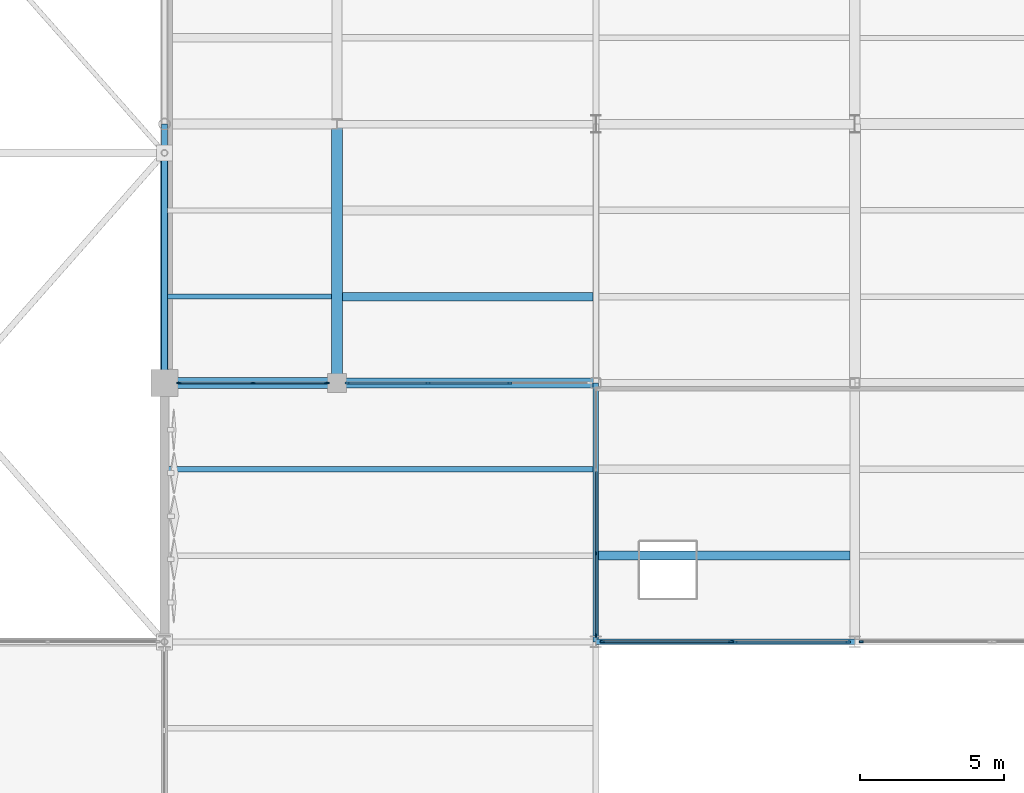
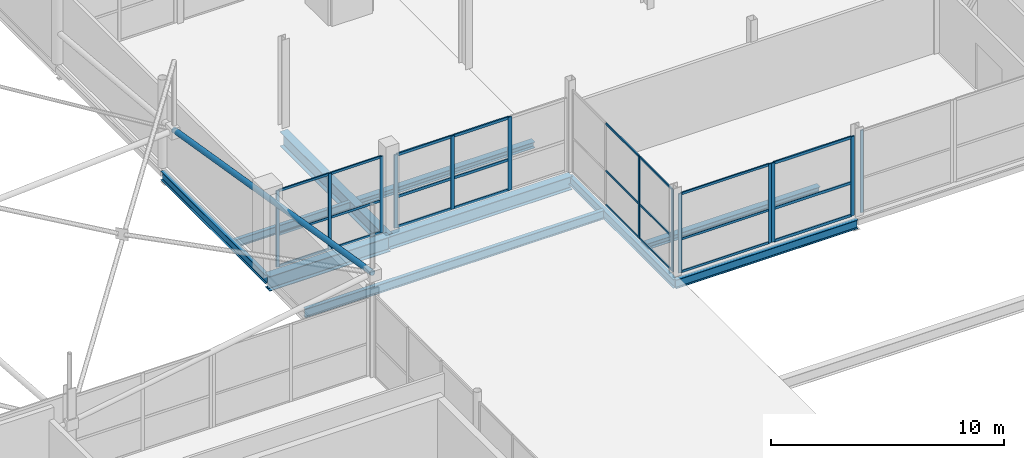
# One storey, part 124 of 224: 38 members, 10 beams, 6 elements without a shape of their own.
"""IFC4 building model written with IfcOpenShell, lengths in metres."""

from ifc_helpers import new_model, si_unit, direction, frame, origin, origin_2d, place, context, subcontext, project, spatial, rectangle, hollow_circle, i_section, extrude, material, layer, layer_set, material_profile, profile_set, type_object, element, aggregate, save


model = new_model("IFC4")

# Units and contexts
model_context = context("Model", 3, precision=1e-05, world=origin(), true_north=direction((0.0, 1.0)))
body_context = subcontext(model_context, "Body", "Model", "MODEL_VIEW")
ifc_project = project(units=[si_unit("LENGTHUNIT", "METRE"), si_unit("AREAUNIT", "SQUARE_METRE"), si_unit("VOLUMEUNIT", "CUBIC_METRE"), si_unit("PLANEANGLEUNIT", "RADIAN"), si_unit("MASSUNIT", "GRAM", prefix="KILO")], contexts=[model_context])

# Site, building, storey
site_placement = place(None, origin())
site = spatial("IfcSite", under=ifc_project, at=site_placement, CompositionType="ELEMENT")
building_placement = place(site_placement, origin())
building = spatial("IfcBuilding", under=site, at=building_placement, Name="Qamarlyn Nura Convention Centre", CompositionType="ELEMENT")
storey_placement = place(building_placement, frame((0.0, 0.0, 10.800048828125)))
storey = spatial("IfcBuildingStorey", under=building, at=storey_placement, Name="L02", CompositionType="ELEMENT", Elevation=10.800048828125)

# Beams
ifc_material_1 = material(Name="Steel ASTM A992", Category="steel")
ifc_material_profile_1 = material_profile(ifc_material_1, i_section(OverallWidth=0.35498046875, OverallDepth=0.695068359375, WebThickness=0.015380859375, FlangeThickness=0.02490234375, FilletRadius=0.01806640625, at=origin_2d()), Name="W690X217")
ifc_profile_set_1 = profile_set([ifc_material_profile_1], Name="Steel ASTM A992")
beam_type_1 = type_object("IfcBeamType", Name="BM-GIRD-690A", PredefinedType="BEAM", material=ifc_profile_set_1)
beam_1_placement = place(storey_placement, frame((126.0, 27.0, -0.587646484375), z_axis=(1.0, 0.0, 0.0), x_axis=(0.0, 1.0, 0.0)))
element("IfcBeam", 1, at=beam_1_placement, inside=storey, type_object=beam_type_1, Name="L02 girder D 10-11", PredefinedType="BEAM", context=body_context, shape_type="SweptSolid", body=[
    extrude(i_section(OverallWidth=0.35498046875, OverallDepth=0.695068359375, WebThickness=0.015380859375, FlangeThickness=0.02490234375, FilletRadius=0.01806640625, at=origin_2d()), origin(), (0.0, 0.0, 1.0), 9.0),
])
ifc_material_profile_2 = material_profile(ifc_material_1, i_section(OverallWidth=0.381103515625, OverallDepth=0.77294921875, WebThickness=0.0166015625, FlangeThickness=0.027587890625, FilletRadius=0.02001953125, at=origin_2d()), Name="W760X257")
ifc_profile_set_2 = profile_set([ifc_material_profile_2], Name="Steel ASTM A992")
beam_type_2 = type_object("IfcBeamType", Name="BM-GIRD-760", PredefinedType="BEAM", material=ifc_profile_set_2)
beam_2_placement = place(storey_placement, frame((120.0, 27.0, -0.62646484375), z_axis=(1.0, 0.0, 0.0), x_axis=(0.0, 1.0, 0.0)))
element("IfcBeam", 2, at=beam_2_placement, inside=storey, type_object=beam_type_2, Name="L02 girder D 9-10", PredefinedType="BEAM", context=body_context, shape_type="SweptSolid", body=[
    extrude(i_section(OverallWidth=0.381103515625, OverallDepth=0.77294921875, WebThickness=0.0166015625, FlangeThickness=0.027587890625, FilletRadius=0.02001953125, at=origin_2d()), origin(), (0.0, 0.0, 1.0), 6.0),
])
beam_3_placement = place(storey_placement, frame((126.0, 27.0, -0.62646484375), z_axis=(0.0, 1.0, 0.0), x_axis=(-1.0, 0.0, 0.0)))
element("IfcBeam", 3, at=beam_3_placement, inside=storey, type_object=beam_type_2, Name="L02 girder 10 D-E", PredefinedType="BEAM", context=body_context, shape_type="SweptSolid", body=[
    extrude(i_section(OverallWidth=0.381103515625, OverallDepth=0.77294921875, WebThickness=0.0166015625, FlangeThickness=0.027587890625, FilletRadius=0.02001953125, at=origin_2d()), origin(), (0.0, 0.0, 1.0), 9.0),
])
ifc_material_profile_3 = material_profile(ifc_material_1, i_section(OverallWidth=0.304931640625, OverallDepth=0.30810546875, WebThickness=0.010009765625, FlangeThickness=0.015380859375, FilletRadius=0.014892578125, at=origin_2d()), Name="W310X97")
ifc_profile_set_3 = profile_set([ifc_material_profile_3], Name="Steel ASTM A992")
beam_type_3 = type_object("IfcBeamType", Name="BM-JOIST-310", PredefinedType="JOIST", material=ifc_profile_set_3)
beam_4_placement = place(storey_placement, frame((126.1904296875, 30.0, -0.39404296875), z_axis=(1.0, 0.0, 0.0), x_axis=(0.0, 1.0, 0.0)))
element("IfcBeam", 4, at=beam_4_placement, inside=storey, type_object=beam_type_3, Name="L02 composite joist 10-11/D+1", PredefinedType="JOIST", context=body_context, shape_type="SweptSolid", body=[
    extrude(i_section(OverallWidth=0.304931640625, OverallDepth=0.30810546875, WebThickness=0.010009765625, FlangeThickness=0.015380859375, FilletRadius=0.014892578125, at=origin_2d()), origin(), (0.0, 0.0, 1.0), 8.70947265625),
])
beam_5_placement = place(storey_placement, frame((135.096435546875, 21.0, -0.4140625), z_axis=(1.0, 0.0, 0.0), x_axis=(0.0, 1.0, 0.0)))
element("IfcBeam", 5, at=beam_5_placement, inside=storey, type_object=beam_type_3, Name="L02 composite joist 11-12/C+1", PredefinedType="JOIST", context=body_context, shape_type="SweptSolid", body=[
    extrude(i_section(OverallWidth=0.304931640625, OverallDepth=0.30810546875, WebThickness=0.010009765625, FlangeThickness=0.015380859375, FilletRadius=0.014892578125, at=origin_2d()), origin(), (0.0, 0.0, 1.0), 8.741455078125),
])
ifc_material_profile_4 = material_profile(ifc_material_1, i_section(OverallWidth=0.177978515625, OverallDepth=0.406982421875, WebThickness=0.0078125, FlangeThickness=0.0126953125, FilletRadius=0.011962890625, at=origin_2d()), Name="W410X60")
ifc_profile_set_4 = profile_set([ifc_material_profile_4], Name="Steel ASTM A992")
beam_type_4 = type_object("IfcBeamType", Name="BM-JOIST-410", PredefinedType="JOIST", material=ifc_profile_set_4)
beam_6_placement = place(storey_placement, frame((120.096435546875, 30.0, -0.443603515625), z_axis=(1.0, 0.0, 0.0), x_axis=(0.0, 1.0, 0.0)))
element("IfcBeam", 6, at=beam_6_placement, inside=storey, type_object=beam_type_4, Name="L02 composite joist 9-10/D+1", PredefinedType="JOIST", context=body_context, shape_type="SweptSolid", body=[
    extrude(i_section(OverallWidth=0.177978515625, OverallDepth=0.406982421875, WebThickness=0.0078125, FlangeThickness=0.0126953125, FilletRadius=0.011962890625, at=origin_2d()), origin(), (0.0, 0.0, 1.0), 5.713134765625),
])
ifc_material_profile_5 = material_profile(ifc_material_1, i_section(OverallWidth=0.18994140625, OverallDepth=0.45703125, WebThickness=0.009033203125, FlangeThickness=0.014404296875, FilletRadius=0.012939453125, at=origin_2d()), Name="W460X74")
ifc_profile_set_5 = profile_set([ifc_material_profile_5], Name="Steel ASTM A992")
beam_type_5 = type_object("IfcBeamType", Name="BM-JOIST-460", PredefinedType="JOIST", material=ifc_profile_set_5)
beam_7_placement = place(storey_placement, frame((120.10546875, 24.0, -0.448486328125), z_axis=(1.0, 0.0, 0.0), x_axis=(0.0, 1.0, 0.0)))
element("IfcBeam", 7, at=beam_7_placement, inside=storey, type_object=beam_type_5, Name="L02 composite joist 9-11/C+2", PredefinedType="JOIST", context=body_context, shape_type="SweptSolid", body=[
    extrude(i_section(OverallWidth=0.18994140625, OverallDepth=0.45703125, WebThickness=0.009033203125, FlangeThickness=0.014404296875, FilletRadius=0.012939453125, at=origin_2d()), origin(), (0.0, 0.0, 1.0), 14.798095703125),
])
ifc_material_profile_6 = material_profile(ifc_material_1, i_section(OverallWidth=0.193115234375, OverallDepth=0.466064453125, WebThickness=0.011474609375, FlangeThickness=0.01904296875, FilletRadius=0.012939453125, at=origin_2d()), Name="W460X97")
ifc_profile_set_6 = profile_set([ifc_material_profile_6], Name="Steel ASTM A992")
beam_type_6 = type_object("IfcBeamType", Name="BM-SPAN-460", PredefinedType="SPANDREL", material=ifc_profile_set_6)
for number, where, z_axis, x_axis, name in (
    (8, (135.0, 18.0, -0.4931640625), (1.0, 0.0, 0.0), (0.0, 1.0, 0.0), "L02 girder C 11-12"),
    (9, (120.0, 27.0, -0.47314453125), (0.0, 1.0, 0.0), (-1.0, 0.0, 0.0), "L02 girder 9 D-E"),
    (10, (135.0, 18.0, -0.4931640625), (0.0, 1.0, 0.0), (-1.0, 0.0, 0.0), "L02 girder 11 C-D"),
):
    element("IfcBeam", number, at=place(storey_placement, frame(where, z_axis=z_axis, x_axis=x_axis)), inside=storey, type_object=beam_type_6, Name=name, PredefinedType="SPANDREL", context=body_context, shape_type="SweptSolid", body=[
        extrude(i_section(OverallWidth=0.193115234375, OverallDepth=0.466064453125, WebThickness=0.011474609375, FlangeThickness=0.01904296875, FilletRadius=0.012939453125, at=origin_2d()), origin(), (0.0, 0.0, 1.0), 9.0),
    ])

# Curtain wall, members
ifc_material_2 = material(Name="Double-silver low-E insulated glass", Category="glass")
ifc_layer_1 = layer(ifc_material_2, 0.179931640625, Name="CW-UNIT-102")
ifc_layer_set_1 = layer_set([ifc_layer_1], Name="Double-silver low-E insulated glass")
curtain_wall_type_1 = type_object("IfcCurtainWallType", Name="CW-UNIT-102", PredefinedType="NOTDEFINED", material=ifc_layer_set_1)
curtain_wall_1_placement = place(storey_placement, origin())
curtain_wall_1 = element("IfcCurtainWall", 11, at=curtain_wall_1_placement, inside=storey, type_object=curtain_wall_type_1, Name="L02 unitised curtain wall BLW-S-1", PredefinedType="NOTDEFINED")
ifc_material_3 = material(Name="Champagne-anodised marine aluminium", Category="aluminium")
ifc_material_profile_7 = material_profile(ifc_material_3, rectangle(XDim=0.06005859375, YDim=0.139892578125, at=origin_2d()), Name="ALU MULLION 60x140")
ifc_profile_set_7 = profile_set([ifc_material_profile_7], Name="Champagne-anodised marine aluminium")
member_type_1 = type_object("IfcMemberType", Name="CWM-140", PredefinedType="MULLION", material=ifc_profile_set_7)
member_1_placement = place(storey_placement, frame((135.0, 18.2265625, 0.0), z_axis=(0.0, 0.0, 1.0), x_axis=(-1.0, 0.0, 0.0)))
member_1 = element("IfcMember", 12, at=member_1_placement, type_object=member_type_1, Name="CW102 mullion 1", PredefinedType="MULLION", context=body_context, shape_type="SweptSolid", body=[
    extrude(rectangle(XDim=0.06005859375, YDim=0.139892578125, at=origin_2d()), origin(), (0.0, 0.0, 1.0), 4.31005859375),
])
member_2_placement = place(storey_placement, frame((135.0, 21.07275390625, 0.0), z_axis=(0.0, 0.0, 1.0), x_axis=(-1.0, 0.0, 0.0)))
member_2 = element("IfcMember", 13, at=member_2_placement, type_object=member_type_1, Name="CW102 mullion 2", PredefinedType="MULLION", context=body_context, shape_type="SweptSolid", body=[
    extrude(rectangle(XDim=0.06005859375, YDim=0.139892578125, at=origin_2d()), origin(), (0.0, 0.0, 1.0), 4.31005859375),
])

# Curtain wall, member
ifc_layer_2 = layer(ifc_material_2, 0.179931640625, Name="CW-UNIT-104")
ifc_layer_set_2 = layer_set([ifc_layer_2], Name="Double-silver low-E insulated glass")
curtain_wall_type_2 = type_object("IfcCurtainWallType", Name="CW-UNIT-104", PredefinedType="NOTDEFINED", material=ifc_layer_set_2)
curtain_wall_2_placement = place(storey_placement, origin())
curtain_wall_2 = element("IfcCurtainWall", 14, at=curtain_wall_2_placement, inside=storey, type_object=curtain_wall_type_2, Name="L02 unitised curtain wall BLW-SE-1B", PredefinedType="NOTDEFINED")
member_3_placement = place(storey_placement, frame((144.2294921875, 18.0, 0.0), z_axis=(0.0, 0.0, 1.0), x_axis=(0.0, -1.0, 0.0)))
member_3 = element("IfcMember", 15, at=member_3_placement, type_object=member_type_1, Name="CW104 mullion 2", PredefinedType="MULLION", context=body_context, shape_type="SweptSolid", body=[
    extrude(rectangle(XDim=0.06005859375, YDim=0.139892578125, at=origin_2d()), origin(), (0.0, 0.0, 1.0), 4.31005859375),
])
aggregate(curtain_wall_2, [member_3])

# Curtain wall, members
ifc_layer_3 = layer(ifc_material_2, 0.179931640625, Name="CW-UNIT-58")
ifc_layer_set_3 = layer_set([ifc_layer_3], Name="Double-silver low-E insulated glass")
curtain_wall_type_3 = type_object("IfcCurtainWallType", Name="CW-UNIT-58", PredefinedType="NOTDEFINED", material=ifc_layer_set_3)
curtain_wall_3_placement = place(storey_placement, origin())
curtain_wall_3 = element("IfcCurtainWall", 16, at=curtain_wall_3_placement, inside=storey, type_object=curtain_wall_type_3, Name="L02 unitised curtain wall BRG-S-2", PredefinedType="NOTDEFINED")
ifc_material_profile_8 = material_profile(ifc_material_3, rectangle(XDim=0.06494140625, YDim=0.159912109375, at=origin_2d()), Name="ALU MULLION 65x160")
ifc_profile_set_8 = profile_set([ifc_material_profile_8], Name="Champagne-anodised marine aluminium")
member_type_2 = type_object("IfcMemberType", Name="CWM-160", PredefinedType="MULLION", material=ifc_profile_set_8)
member_4_placement = place(storey_placement, frame((125.642578125, 27.0, 0.0), z_axis=(0.0, 0.0, 1.0), x_axis=(0.0, -1.0, 0.0)))
member_4 = element("IfcMember", 17, at=member_4_placement, type_object=member_type_2, Name="CW58 mullion 1", PredefinedType="MULLION", context=body_context, shape_type="SweptSolid", body=[
    extrude(rectangle(XDim=0.06494140625, YDim=0.159912109375, at=origin_2d()), origin(), (0.0, 0.0, 1.0), 3.9990234375),
])
member_5_placement = place(storey_placement, frame((123.074951171875, 27.0, 0.0), z_axis=(0.0, 0.0, 1.0), x_axis=(0.0, -1.0, 0.0)))
member_5 = element("IfcMember", 18, at=member_5_placement, type_object=member_type_2, Name="CW58 mullion 2", PredefinedType="MULLION", context=body_context, shape_type="SweptSolid", body=[
    extrude(rectangle(XDim=0.06494140625, YDim=0.159912109375, at=origin_2d()), origin(), (0.0, 0.0, 1.0), 3.9990234375),
])
member_6_placement = place(storey_placement, frame((120.507568359375, 27.0, 0.0), z_axis=(0.0, 0.0, 1.0), x_axis=(0.0, -1.0, 0.0)))
member_6 = element("IfcMember", 19, at=member_6_placement, type_object=member_type_2, Name="CW58 mullion 3", PredefinedType="MULLION", context=body_context, shape_type="SweptSolid", body=[
    extrude(rectangle(XDim=0.06494140625, YDim=0.159912109375, at=origin_2d()), origin(), (0.0, 0.0, 1.0), 3.9990234375),
])

ifc_layer_4 = layer(ifc_material_2, 0.179931640625, Name="CW-UNIT-106")
ifc_layer_set_4 = layer_set([ifc_layer_4], Name="Double-silver low-E insulated glass")
curtain_wall_type_4 = type_object("IfcCurtainWallType", Name="CW-UNIT-106", PredefinedType="NOTDEFINED", material=ifc_layer_set_4)
curtain_wall_4_placement = place(storey_placement, origin())
curtain_wall_4 = element("IfcCurtainWall", 20, at=curtain_wall_4_placement, inside=storey, type_object=curtain_wall_type_4, Name="L02 unitised curtain wall BLW-SE-2B", PredefinedType="NOTDEFINED")
member_7_placement = place(storey_placement, frame((139.685546875, 18.0, 0.0), z_axis=(0.0, 0.0, 1.0), x_axis=(0.0, -1.0, 0.0)))
member_7 = element("IfcMember", 21, at=member_7_placement, type_object=member_type_2, Name="CW106 mullion 1", PredefinedType="MULLION", context=body_context, shape_type="SweptSolid", body=[
    extrude(rectangle(XDim=0.06494140625, YDim=0.159912109375, at=origin_2d()), origin(), (0.0, 0.0, 1.0), 4.14404296875),
])
member_8_placement = place(storey_placement, frame((135.23193359375, 18.0, 0.0), z_axis=(0.0, 0.0, 1.0), x_axis=(0.0, -1.0, 0.0)))
member_8 = element("IfcMember", 22, at=member_8_placement, type_object=member_type_2, Name="CW106 mullion 2", PredefinedType="MULLION", context=body_context, shape_type="SweptSolid", body=[
    extrude(rectangle(XDim=0.06494140625, YDim=0.159912109375, at=origin_2d()), origin(), (0.0, 0.0, 1.0), 4.14404296875),
])

ifc_layer_5 = layer(ifc_material_2, 0.179931640625, Name="CW-UNIT-57")
ifc_layer_set_5 = layer_set([ifc_layer_5], Name="Double-silver low-E insulated glass")
curtain_wall_type_5 = type_object("IfcCurtainWallType", Name="CW-UNIT-57", PredefinedType="NOTDEFINED", material=ifc_layer_set_5)
curtain_wall_5_placement = place(storey_placement, origin())
curtain_wall_5 = element("IfcCurtainWall", 23, at=curtain_wall_5_placement, inside=storey, type_object=curtain_wall_type_5, Name="L02 unitised curtain wall BRG-S-1", PredefinedType="NOTDEFINED")
ifc_material_profile_9 = material_profile(ifc_material_3, rectangle(XDim=0.070068359375, YDim=0.179931640625, at=origin_2d()), Name="ALU MULLION 70x180")
ifc_profile_set_9 = profile_set([ifc_material_profile_9], Name="Champagne-anodised marine aluminium")
member_type_3 = type_object("IfcMemberType", Name="CWM-180", PredefinedType="MULLION", material=ifc_profile_set_9)
member_9_placement = place(storey_placement, frame((131.99169921875, 27.0, 0.0), z_axis=(0.0, 0.0, 1.0), x_axis=(0.0, -1.0, 0.0)))
member_9 = element("IfcMember", 24, at=member_9_placement, type_object=member_type_3, Name="CW57 mullion 2", PredefinedType="MULLION", context=body_context, shape_type="SweptSolid", body=[
    extrude(rectangle(XDim=0.070068359375, YDim=0.179931640625, at=origin_2d()), origin(), (0.0, 0.0, 1.0), 3.8369140625),
])
member_10_placement = place(storey_placement, frame((129.158447265625, 27.0, 0.0), z_axis=(0.0, 0.0, 1.0), x_axis=(0.0, -1.0, 0.0)))
member_10 = element("IfcMember", 25, at=member_10_placement, type_object=member_type_3, Name="CW57 mullion 3", PredefinedType="MULLION", context=body_context, shape_type="SweptSolid", body=[
    extrude(rectangle(XDim=0.070068359375, YDim=0.179931640625, at=origin_2d()), origin(), (0.0, 0.0, 1.0), 3.8369140625),
])
member_11_placement = place(storey_placement, frame((126.360107421875, 27.0, 0.0), z_axis=(0.0, 0.0, 1.0), x_axis=(0.0, -1.0, 0.0)))
member_11 = element("IfcMember", 26, at=member_11_placement, type_object=member_type_3, Name="CW57 mullion 4", PredefinedType="MULLION", context=body_context, shape_type="SweptSolid", body=[
    extrude(rectangle(XDim=0.070068359375, YDim=0.179931640625, at=origin_2d()), origin(), (0.0, 0.0, 1.0), 3.8369140625),
])

ifc_layer_6 = layer(ifc_material_2, 0.179931640625, Name="CW-UNIT-105")
ifc_layer_set_6 = layer_set([ifc_layer_6], Name="Double-silver low-E insulated glass")
curtain_wall_type_6 = type_object("IfcCurtainWallType", Name="CW-UNIT-105", PredefinedType="NOTDEFINED", material=ifc_layer_set_6)
curtain_wall_6_placement = place(storey_placement, origin())
curtain_wall_6 = element("IfcCurtainWall", 27, at=curtain_wall_6_placement, inside=storey, type_object=curtain_wall_type_6, Name="L02 unitised curtain wall BLW-SE-2A", PredefinedType="NOTDEFINED")
member_12_placement = place(storey_placement, frame((143.765380859375, 18.0, 0.0), z_axis=(0.0, 0.0, 1.0), x_axis=(0.0, -1.0, 0.0)))
member_12 = element("IfcMember", 28, at=member_12_placement, type_object=member_type_3, Name="CW105 mullion 1", PredefinedType="MULLION", context=body_context, shape_type="SweptSolid", body=[
    extrude(rectangle(XDim=0.070068359375, YDim=0.179931640625, at=origin_2d()), origin(), (0.0, 0.0, 1.0), 4.14404296875),
])
member_13_placement = place(storey_placement, frame((139.8330078125, 18.0, 0.0), z_axis=(0.0, 0.0, 1.0), x_axis=(0.0, -1.0, 0.0)))
member_13 = element("IfcMember", 29, at=member_13_placement, type_object=member_type_3, Name="CW105 mullion 2", PredefinedType="MULLION", context=body_context, shape_type="SweptSolid", body=[
    extrude(rectangle(XDim=0.070068359375, YDim=0.179931640625, at=origin_2d()), origin(), (0.0, 0.0, 1.0), 4.14404296875),
])

# Member
ifc_material_profile_10 = material_profile(ifc_material_3, rectangle(XDim=0.06005859375, YDim=0.10009765625, at=origin_2d()), Name="ALU TRANSOM 60x100")
ifc_profile_set_10 = profile_set([ifc_material_profile_10], Name="Champagne-anodised marine aluminium")
member_type_4 = type_object("IfcMemberType", Name="CWT-100", PredefinedType="USERDEFINED", material=ifc_profile_set_10)
member_14_placement = place(storey_placement, frame((135.0, 18.256591796875, 0.030029296875), z_axis=(0.0, 1.0, 0.0), x_axis=(-1.0, 0.0, 0.0)))
member_14 = element("IfcMember", 30, at=member_14_placement, type_object=member_type_4, Name="CW102 transom 1.1", ObjectType="TRANSOM", PredefinedType="USERDEFINED", context=body_context, shape_type="SweptSolid", body=[
    extrude(rectangle(XDim=0.06005859375, YDim=0.10009765625, at=origin_2d()), origin(), (0.0, 0.0, 1.0), 2.7861328125),
])

member_15_placement = place(storey_placement, frame((135.0, 18.256591796875, 1.81005859375), z_axis=(0.0, 1.0, 0.0), x_axis=(-1.0, 0.0, 0.0)))
member_15 = element("IfcMember", 31, at=member_15_placement, type_object=member_type_4, Name="CW102 transom 1.2", ObjectType="TRANSOM", PredefinedType="USERDEFINED", context=body_context, shape_type="SweptSolid", body=[
    extrude(rectangle(XDim=0.06005859375, YDim=0.10009765625, at=origin_2d()), origin(), (0.0, 0.0, 1.0), 2.7861328125),
])

member_16_placement = place(storey_placement, frame((135.0, 18.256591796875, 4.280029296875), z_axis=(0.0, 1.0, 0.0), x_axis=(-1.0, 0.0, 0.0)))
member_16 = element("IfcMember", 32, at=member_16_placement, type_object=member_type_4, Name="CW102 transom 1.3", ObjectType="TRANSOM", PredefinedType="USERDEFINED", context=body_context, shape_type="SweptSolid", body=[
    extrude(rectangle(XDim=0.06005859375, YDim=0.10009765625, at=origin_2d()), origin(), (0.0, 0.0, 1.0), 2.7861328125),
])

member_17_placement = place(storey_placement, frame((135.0, 21.102783203125, 0.030029296875), z_axis=(0.0, 1.0, 0.0), x_axis=(-1.0, 0.0, 0.0)))
member_17 = element("IfcMember", 33, at=member_17_placement, type_object=member_type_4, Name="CW102 transom 2.1", ObjectType="TRANSOM", PredefinedType="USERDEFINED", context=body_context, shape_type="SweptSolid", body=[
    extrude(rectangle(XDim=0.06005859375, YDim=0.10009765625, at=origin_2d()), origin(), (0.0, 0.0, 1.0), 2.816162109375),
])

member_18_placement = place(storey_placement, frame((135.0, 21.102783203125, 1.81005859375), z_axis=(0.0, 1.0, 0.0), x_axis=(-1.0, 0.0, 0.0)))
member_18 = element("IfcMember", 34, at=member_18_placement, type_object=member_type_4, Name="CW102 transom 2.2", ObjectType="TRANSOM", PredefinedType="USERDEFINED", context=body_context, shape_type="SweptSolid", body=[
    extrude(rectangle(XDim=0.06005859375, YDim=0.10009765625, at=origin_2d()), origin(), (0.0, 0.0, 1.0), 2.816162109375),
])

member_19_placement = place(storey_placement, frame((135.0, 21.102783203125, 4.280029296875), z_axis=(0.0, 1.0, 0.0), x_axis=(-1.0, 0.0, 0.0)))
member_19 = element("IfcMember", 35, at=member_19_placement, type_object=member_type_4, Name="CW102 transom 2.3", ObjectType="TRANSOM", PredefinedType="USERDEFINED", context=body_context, shape_type="SweptSolid", body=[
    extrude(rectangle(XDim=0.06005859375, YDim=0.10009765625, at=origin_2d()), origin(), (0.0, 0.0, 1.0), 2.816162109375),
])

aggregate(curtain_wall_1, [member_1, member_2, member_14, member_15, member_16, member_17, member_18, member_19])

ifc_material_profile_11 = material_profile(ifc_material_3, rectangle(XDim=0.06494140625, YDim=0.1201171875, at=origin_2d()), Name="ALU TRANSOM 65x120")
ifc_profile_set_11 = profile_set([ifc_material_profile_11], Name="Champagne-anodised marine aluminium")
member_type_5 = type_object("IfcMemberType", Name="CWT-120", PredefinedType="USERDEFINED", material=ifc_profile_set_11)
member_20_placement = place(storey_placement, frame((125.610107421875, 27.0, 0.032470703125), z_axis=(-1.0, 0.0, 0.0), x_axis=(0.0, -1.0, 0.0)))
member_20 = element("IfcMember", 36, at=member_20_placement, type_object=member_type_5, Name="CW58 transom 1.1", ObjectType="TRANSOM", PredefinedType="USERDEFINED", context=body_context, shape_type="SweptSolid", body=[
    extrude(rectangle(XDim=0.06494140625, YDim=0.1201171875, at=origin_2d()), origin(), (0.0, 0.0, 1.0), 2.502685546875),
])

member_21_placement = place(storey_placement, frame((125.610107421875, 27.0, 1.679931640625), z_axis=(-1.0, 0.0, 0.0), x_axis=(0.0, -1.0, 0.0)))
member_21 = element("IfcMember", 37, at=member_21_placement, type_object=member_type_5, Name="CW58 transom 1.2", ObjectType="TRANSOM", PredefinedType="USERDEFINED", context=body_context, shape_type="SweptSolid", body=[
    extrude(rectangle(XDim=0.06494140625, YDim=0.1201171875, at=origin_2d()), origin(), (0.0, 0.0, 1.0), 2.502685546875),
])

member_22_placement = place(storey_placement, frame((125.610107421875, 27.0, 3.966552734375), z_axis=(-1.0, 0.0, 0.0), x_axis=(0.0, -1.0, 0.0)))
member_22 = element("IfcMember", 38, at=member_22_placement, type_object=member_type_5, Name="CW58 transom 1.3", ObjectType="TRANSOM", PredefinedType="USERDEFINED", context=body_context, shape_type="SweptSolid", body=[
    extrude(rectangle(XDim=0.06494140625, YDim=0.1201171875, at=origin_2d()), origin(), (0.0, 0.0, 1.0), 2.502685546875),
])

member_23_placement = place(storey_placement, frame((123.04248046875, 27.0, 0.032470703125), z_axis=(-1.0, 0.0, 0.0), x_axis=(0.0, -1.0, 0.0)))
member_23 = element("IfcMember", 39, at=member_23_placement, type_object=member_type_5, Name="CW58 transom 2.1", ObjectType="TRANSOM", PredefinedType="USERDEFINED", context=body_context, shape_type="SweptSolid", body=[
    extrude(rectangle(XDim=0.06494140625, YDim=0.1201171875, at=origin_2d()), origin(), (0.0, 0.0, 1.0), 2.50244140625),
])

member_24_placement = place(storey_placement, frame((123.04248046875, 27.0, 1.679931640625), z_axis=(-1.0, 0.0, 0.0), x_axis=(0.0, -1.0, 0.0)))
member_24 = element("IfcMember", 40, at=member_24_placement, type_object=member_type_5, Name="CW58 transom 2.2", ObjectType="TRANSOM", PredefinedType="USERDEFINED", context=body_context, shape_type="SweptSolid", body=[
    extrude(rectangle(XDim=0.06494140625, YDim=0.1201171875, at=origin_2d()), origin(), (0.0, 0.0, 1.0), 2.50244140625),
])

member_25_placement = place(storey_placement, frame((123.04248046875, 27.0, 3.966552734375), z_axis=(-1.0, 0.0, 0.0), x_axis=(0.0, -1.0, 0.0)))
member_25 = element("IfcMember", 41, at=member_25_placement, type_object=member_type_5, Name="CW58 transom 2.3", ObjectType="TRANSOM", PredefinedType="USERDEFINED", context=body_context, shape_type="SweptSolid", body=[
    extrude(rectangle(XDim=0.06494140625, YDim=0.1201171875, at=origin_2d()), origin(), (0.0, 0.0, 1.0), 2.50244140625),
])

aggregate(curtain_wall_3, [member_4, member_5, member_6, member_20, member_21, member_22, member_23, member_24, member_25])

member_26_placement = place(storey_placement, frame((139.653076171875, 18.0, 0.032470703125), z_axis=(-1.0, 0.0, 0.0), x_axis=(0.0, -1.0, 0.0)))
member_26 = element("IfcMember", 42, at=member_26_placement, type_object=member_type_5, Name="CW106 transom 1.1", ObjectType="TRANSOM", PredefinedType="USERDEFINED", context=body_context, shape_type="SweptSolid", body=[
    extrude(rectangle(XDim=0.06494140625, YDim=0.1201171875, at=origin_2d()), origin(), (0.0, 0.0, 1.0), 4.388671875),
])

member_27_placement = place(storey_placement, frame((139.653076171875, 18.0, 1.739990234375), z_axis=(-1.0, 0.0, 0.0), x_axis=(0.0, -1.0, 0.0)))
member_27 = element("IfcMember", 43, at=member_27_placement, type_object=member_type_5, Name="CW106 transom 1.2", ObjectType="TRANSOM", PredefinedType="USERDEFINED", context=body_context, shape_type="SweptSolid", body=[
    extrude(rectangle(XDim=0.06494140625, YDim=0.1201171875, at=origin_2d()), origin(), (0.0, 0.0, 1.0), 4.388671875),
])

member_28_placement = place(storey_placement, frame((139.653076171875, 18.0, 4.111572265625), z_axis=(-1.0, 0.0, 0.0), x_axis=(0.0, -1.0, 0.0)))
member_28 = element("IfcMember", 44, at=member_28_placement, type_object=member_type_5, Name="CW106 transom 1.3", ObjectType="TRANSOM", PredefinedType="USERDEFINED", context=body_context, shape_type="SweptSolid", body=[
    extrude(rectangle(XDim=0.06494140625, YDim=0.1201171875, at=origin_2d()), origin(), (0.0, 0.0, 1.0), 4.388671875),
])

aggregate(curtain_wall_4, [member_7, member_8, member_26, member_27, member_28])

ifc_material_profile_12 = material_profile(ifc_material_3, rectangle(XDim=0.070068359375, YDim=0.139892578125, at=origin_2d()), Name="ALU TRANSOM 70x140")
ifc_profile_set_12 = profile_set([ifc_material_profile_12], Name="Champagne-anodised marine aluminium")
member_type_6 = type_object("IfcMemberType", Name="CWT-140", PredefinedType="USERDEFINED", material=ifc_profile_set_12)
member_29_placement = place(storey_placement, frame((131.956787109375, 27.0, 0.034912109375), z_axis=(-1.0, 0.0, 0.0), x_axis=(0.0, -1.0, 0.0)))
member_29 = element("IfcMember", 45, at=member_29_placement, type_object=member_type_6, Name="CW57 transom 2.1", ObjectType="TRANSOM", PredefinedType="USERDEFINED", context=body_context, shape_type="SweptSolid", body=[
    extrude(rectangle(XDim=0.070068359375, YDim=0.139892578125, at=origin_2d()), origin(), (0.0, 0.0, 1.0), 2.763427734375),
])

member_30_placement = place(storey_placement, frame((131.956787109375, 27.0, 1.612060546875), z_axis=(-1.0, 0.0, 0.0), x_axis=(0.0, -1.0, 0.0)))
member_30 = element("IfcMember", 46, at=member_30_placement, type_object=member_type_6, Name="CW57 transom 2.2", ObjectType="TRANSOM", PredefinedType="USERDEFINED", context=body_context, shape_type="SweptSolid", body=[
    extrude(rectangle(XDim=0.070068359375, YDim=0.139892578125, at=origin_2d()), origin(), (0.0, 0.0, 1.0), 2.763427734375),
])

member_31_placement = place(storey_placement, frame((131.956787109375, 27.0, 3.802001953125), z_axis=(-1.0, 0.0, 0.0), x_axis=(0.0, -1.0, 0.0)))
member_31 = element("IfcMember", 47, at=member_31_placement, type_object=member_type_6, Name="CW57 transom 2.3", ObjectType="TRANSOM", PredefinedType="USERDEFINED", context=body_context, shape_type="SweptSolid", body=[
    extrude(rectangle(XDim=0.070068359375, YDim=0.139892578125, at=origin_2d()), origin(), (0.0, 0.0, 1.0), 2.763427734375),
])

member_32_placement = place(storey_placement, frame((129.123291015625, 27.0, 0.034912109375), z_axis=(-1.0, 0.0, 0.0), x_axis=(0.0, -1.0, 0.0)))
member_32 = element("IfcMember", 48, at=member_32_placement, type_object=member_type_6, Name="CW57 transom 3.1", ObjectType="TRANSOM", PredefinedType="USERDEFINED", context=body_context, shape_type="SweptSolid", body=[
    extrude(rectangle(XDim=0.070068359375, YDim=0.139892578125, at=origin_2d()), origin(), (0.0, 0.0, 1.0), 2.728271484375),
])

member_33_placement = place(storey_placement, frame((129.123291015625, 27.0, 1.612060546875), z_axis=(-1.0, 0.0, 0.0), x_axis=(0.0, -1.0, 0.0)))
member_33 = element("IfcMember", 49, at=member_33_placement, type_object=member_type_6, Name="CW57 transom 3.2", ObjectType="TRANSOM", PredefinedType="USERDEFINED", context=body_context, shape_type="SweptSolid", body=[
    extrude(rectangle(XDim=0.070068359375, YDim=0.139892578125, at=origin_2d()), origin(), (0.0, 0.0, 1.0), 2.728271484375),
])

member_34_placement = place(storey_placement, frame((129.123291015625, 27.0, 3.802001953125), z_axis=(-1.0, 0.0, 0.0), x_axis=(0.0, -1.0, 0.0)))
member_34 = element("IfcMember", 50, at=member_34_placement, type_object=member_type_6, Name="CW57 transom 3.3", ObjectType="TRANSOM", PredefinedType="USERDEFINED", context=body_context, shape_type="SweptSolid", body=[
    extrude(rectangle(XDim=0.070068359375, YDim=0.139892578125, at=origin_2d()), origin(), (0.0, 0.0, 1.0), 2.728271484375),
])

aggregate(curtain_wall_5, [member_9, member_10, member_11, member_29, member_30, member_31, member_32, member_33, member_34])

member_35_placement = place(storey_placement, frame((143.73046875, 18.0, 0.034912109375), z_axis=(-1.0, 0.0, 0.0), x_axis=(0.0, -1.0, 0.0)))
member_35 = element("IfcMember", 51, at=member_35_placement, type_object=member_type_6, Name="CW105 transom 1.1", ObjectType="TRANSOM", PredefinedType="USERDEFINED", context=body_context, shape_type="SweptSolid", body=[
    extrude(rectangle(XDim=0.070068359375, YDim=0.139892578125, at=origin_2d()), origin(), (0.0, 0.0, 1.0), 3.862548828125),
])

member_36_placement = place(storey_placement, frame((143.73046875, 18.0, 1.739990234375), z_axis=(-1.0, 0.0, 0.0), x_axis=(0.0, -1.0, 0.0)))
member_36 = element("IfcMember", 52, at=member_36_placement, type_object=member_type_6, Name="CW105 transom 1.2", ObjectType="TRANSOM", PredefinedType="USERDEFINED", context=body_context, shape_type="SweptSolid", body=[
    extrude(rectangle(XDim=0.070068359375, YDim=0.139892578125, at=origin_2d()), origin(), (0.0, 0.0, 1.0), 3.862548828125),
])

member_37_placement = place(storey_placement, frame((143.73046875, 18.0, 4.10888671875), z_axis=(-1.0, 0.0, 0.0), x_axis=(0.0, -1.0, 0.0)))
member_37 = element("IfcMember", 53, at=member_37_placement, type_object=member_type_6, Name="CW105 transom 1.3", ObjectType="TRANSOM", PredefinedType="USERDEFINED", context=body_context, shape_type="SweptSolid", body=[
    extrude(rectangle(XDim=0.070068359375, YDim=0.139892578125, at=origin_2d()), origin(), (0.0, 0.0, 1.0), 3.862548828125),
])

aggregate(curtain_wall_6, [member_12, member_13, member_35, member_36, member_37])

ifc_material_4 = material(Name="Pearl-white PVDF steel ASTM A500 Grade C", Category="steel")
ifc_material_profile_13 = material_profile(ifc_material_4, hollow_circle(Radius=0.136474609375, WallThickness=0.012451171875, at=origin_2d()), Name="CHS273X12.5")
ifc_profile_set_13 = profile_set([ifc_material_profile_13], Name="Pearl-white PVDF steel ASTM A500 Grade C")
member_type_7 = type_object("IfcMemberType", Name="SF-BC-MAIN", PredefinedType="CHORD", material=ifc_profile_set_13)
member_38_placement = place(storey_placement, frame((120.0, 18.0, 5.314208984375), z_axis=(0.0, 0.986419946618, -0.164242774315), x_axis=(-1.0, 0.0, 0.0)))
element("IfcMember", 54, at=member_38_placement, inside=storey, type_object=member_type_7, Name="ROOF TRUSS space frame bottom chord Y10-2", PredefinedType="CHORD", context=body_context, shape_type="SweptSolid", body=[
    extrude(hollow_circle(Radius=0.136474609375, WallThickness=0.012451171875, at=origin_2d()), origin(), (0.0, 0.0, 1.0), 17.234130859375),
])

save(model, "model.ifc")
